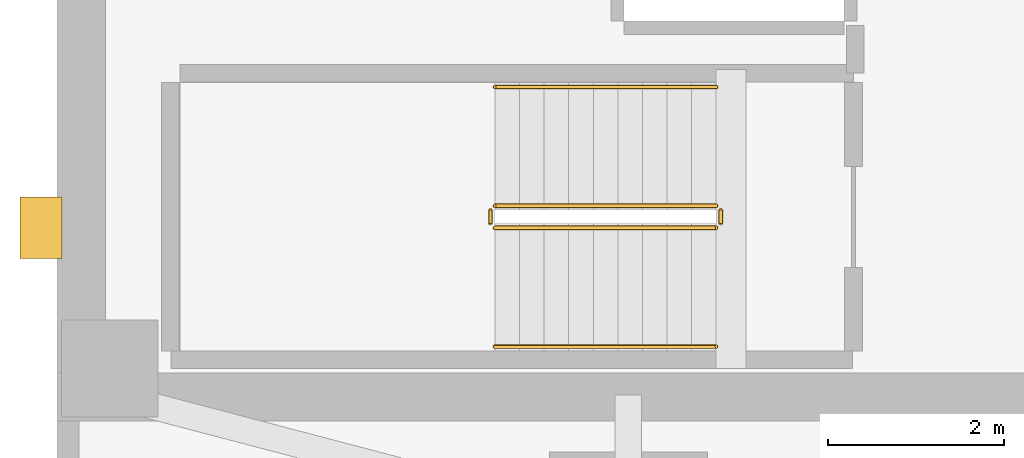
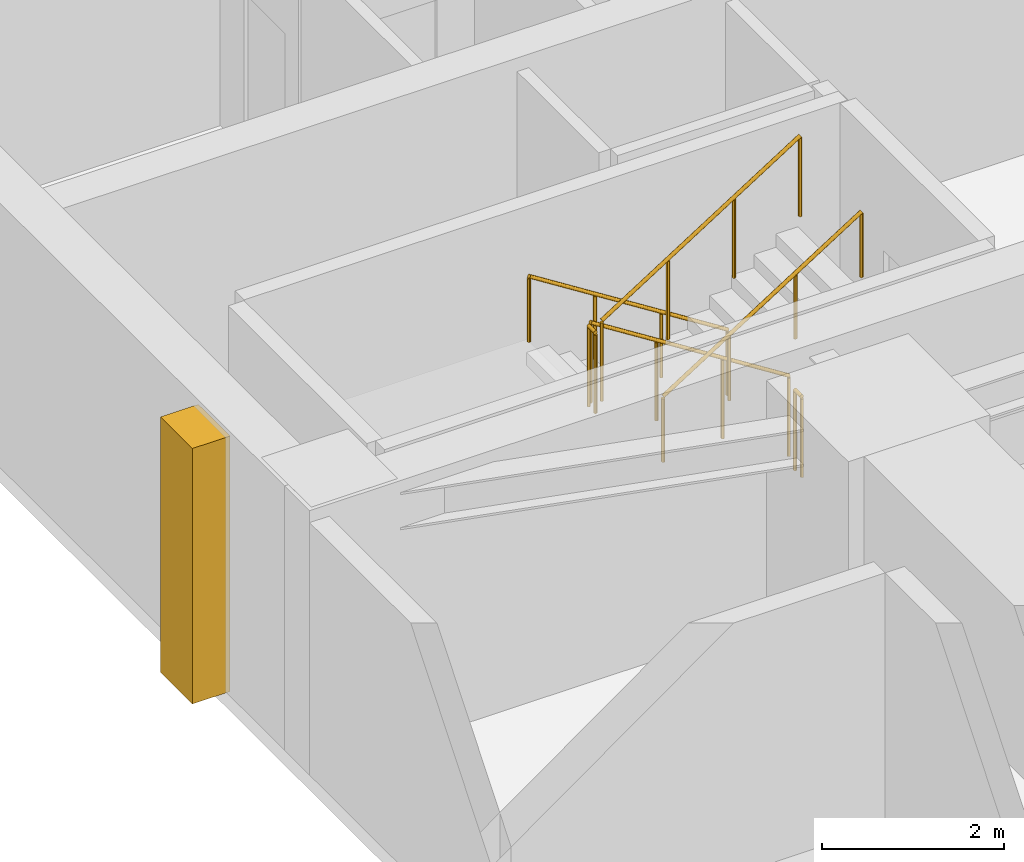
# One storey, part 10 of 13: 6 railings, 1 covering.
"""IFC4 building model written with IfcOpenShell, lengths in metres."""

from ifc_helpers import new_model, si_unit, direction, frame, origin, origin_2d, place, context, subcontext, project, spatial, polyline, circle, outline, extrude, material, layer, layer_set, type_object, element, save


model = new_model("IFC4")

# Units and contexts
model_context = context("Model", 3, precision=1e-05, world=origin(), true_north=direction((0.0, 1.0)))
body_context = subcontext(model_context, "Body", "Model", "MODEL_VIEW")
ifc_project = project(units=[si_unit("LENGTHUNIT", "METRE"), si_unit("AREAUNIT", "SQUARE_METRE"), si_unit("VOLUMEUNIT", "CUBIC_METRE"), si_unit("PLANEANGLEUNIT", "RADIAN"), si_unit("MASSUNIT", "GRAM", prefix="KILO")], contexts=[model_context])

# Site, building, storey
site_placement = place(None, origin())
site = spatial("IfcSite", under=ifc_project, at=site_placement, CompositionType="ELEMENT")
building_placement = place(site_placement, origin())
building = spatial("IfcBuilding", under=site, at=building_placement, Name="Kinhvarn Gate Tower", CompositionType="ELEMENT")
storey_placement = place(building_placement, frame((0.0, 0.0, 241.300048828125)))
storey = spatial("IfcBuildingStorey", under=building, at=storey_placement, Name="L64", CompositionType="ELEMENT", Elevation=241.300048828125)

# Covering
ifc_material_1 = material(Name="Precast white architectural concrete C40/50", Category="concrete")
ifc_layer = layer(ifc_material_1, 0.47998046875)
ifc_layer_set = layer_set([ifc_layer], Name="Precast white architectural concrete C40/50")
covering_type = type_object("IfcCoveringType", Name="COV-RIB-450", PredefinedType="CLADDING", material=ifc_layer_set)
covering_placement = place(storey_placement, frame((0.0, 0.0, -0.02001953125)))
element("IfcCovering", 1, at=covering_placement, inside=storey, type_object=covering_type, Name="West Core Sculptural Concrete Relief Rib CRB-450 (L64)", PredefinedType="CLADDING", context=body_context, shape_type="SweptSolid", body=[
    extrude(outline(polyline([(4.080078125, 15.85009765625), (4.56005859375, 15.85009765625), (4.56005859375, 16.550048828125), (4.080078125, 16.550048828125), (4.080078125, 15.85009765625)])), origin(), (0.0, 0.0, 1.0), 3.429931640625),
])

# Railings
ifc_material_2 = material(Name="Steel S355", Category="steel")
railing_type_1 = type_object("IfcRailingType", Name="RL-ST-GRD", PredefinedType="BALUSTRADE", material=ifc_material_2)
railing_1_placement = place(storey_placement, frame((12.0, 16.449951171875, 0.177490234375)))
element("IfcRailing", 2, at=railing_1_placement, inside=storey, type_object=railing_type_1, Name="L64 ST1 stair guard 1", PredefinedType="BALUSTRADE", context=body_context, shape_type="SweptSolid", body=[
    extrude(circle(Radius=0.02392578125, at=origin_2d()), frame((0.0, 0.0, 1.076171875), z_axis=(-0.84460694969, 0.0, 0.535386869969), x_axis=(0.0, -1.0, 0.0)), (0.0, 0.0, 1.0), 2.983642578125),
    extrude(circle(Radius=0.02099609375, at=origin_2d()), origin(), (0.0, 0.0, 1.0), 1.052001953125),
    extrude(circle(Radius=0.02099609375, at=origin_2d()), frame((-0.840087890625, 0.0, 0.532470703125)), (0.0, 0.0, 1.0), 1.052001953125),
    extrude(circle(Radius=0.02099609375, at=origin_2d()), frame((-1.679931640625, 0.0, 1.06494140625)), (0.0, 0.0, 1.0), 1.052001953125),
    extrude(circle(Radius=0.02099609375, at=origin_2d()), frame((-2.52001953125, 0.0, 1.597412109375)), (0.0, 0.0, 1.0), 1.052001953125),
])
railing_2_placement = place(storey_placement, frame((9.429931640625, 16.39990234375, 1.77490234375)))
element("IfcRailing", 3, at=railing_2_placement, inside=storey, type_object=railing_type_1, Name="L64 ST1 stair guard 2", PredefinedType="BALUSTRADE", context=body_context, shape_type="SweptSolid", body=[
    extrude(circle(Radius=0.02392578125, at=origin_2d()), frame((0.0, 0.0, 1.076171875), z_axis=(0.0, -1.0, 0.0), x_axis=(1.0, 0.0, 0.0)), (0.0, 0.0, 1.0), 0.14990234375),
    extrude(circle(Radius=0.02099609375, at=origin_2d()), origin(), (0.0, 0.0, 1.0), 1.052001953125),
    extrude(circle(Radius=0.02099609375, at=origin_2d()), frame((0.0, -0.14990234375, 0.0)), (0.0, 0.0, 1.0), 1.052001953125),
])
railing_3_placement = place(storey_placement, frame((9.47998046875, 16.199951171875, 1.952392578125)))
element("IfcRailing", 4, at=railing_3_placement, inside=storey, type_object=railing_type_1, Name="L64 ST1 stair guard 3", PredefinedType="BALUSTRADE", context=body_context, shape_type="SweptSolid", body=[
    extrude(circle(Radius=0.02392578125, at=origin_2d()), frame((0.0, 0.0, 1.076171875), z_axis=(0.84456994832, 0.0, 0.535445237532), x_axis=(0.0, 1.0, 0.0)), (0.0, 0.0, 1.0), 2.98388671875),
    extrude(circle(Radius=0.02099609375, at=origin_2d()), origin(), (0.0, 0.0, 1.0), 1.052001953125),
    extrude(circle(Radius=0.02099609375, at=origin_2d()), frame((0.840087890625, 0.0, 0.532470703125)), (0.0, 0.0, 1.0), 1.052001953125),
    extrude(circle(Radius=0.02099609375, at=origin_2d()), frame((1.679931640625, 0.0, 1.065185546875)), (0.0, 0.0, 1.0), 1.052001953125),
    extrude(circle(Radius=0.02099609375, at=origin_2d()), frame((2.52001953125, 0.0, 1.59765625)), (0.0, 0.0, 1.0), 1.052001953125),
])
railing_4_placement = place(storey_placement, frame((12.050048828125, 16.39990234375, 0.0)))
element("IfcRailing", 5, at=railing_4_placement, inside=storey, type_object=railing_type_1, Name="L64 ST1 stair guard 4", PredefinedType="BALUSTRADE", context=body_context, shape_type="SweptSolid", body=[
    extrude(circle(Radius=0.02392578125, at=origin_2d()), frame((0.0, 0.0, 1.076171875), z_axis=(0.0, -1.0, 0.0), x_axis=(1.0, 0.0, 0.0)), (0.0, 0.0, 1.0), 0.14990234375),
    extrude(circle(Radius=0.02099609375, at=origin_2d()), origin(), (0.0, 0.0, 1.0), 1.052001953125),
    extrude(circle(Radius=0.02099609375, at=origin_2d()), frame((0.0, -0.14990234375, 0.0)), (0.0, 0.0, 1.0), 1.052001953125),
])
railing_type_2 = type_object("IfcRailingType", Name="RL-ST-HND", PredefinedType="HANDRAIL", material=ifc_material_2)
railing_5_placement = place(storey_placement, frame((12.0, 17.800048828125, 0.177490234375)))
element("IfcRailing", 6, at=railing_5_placement, inside=storey, type_object=railing_type_2, Name="L64 ST1 stair handrail 1", PredefinedType="HANDRAIL", context=body_context, shape_type="SweptSolid", body=[
    extrude(circle(Radius=0.02392578125, at=origin_2d()), frame((0.0, 0.0, 0.8759765625), z_axis=(-0.84460694969, 0.0, 0.535386869969), x_axis=(0.0, -1.0, 0.0)), (0.0, 0.0, 1.0), 2.983642578125),
    extrude(circle(Radius=0.02099609375, at=origin_2d()), origin(), (0.0, 0.0, 1.0), 0.851806640625),
    extrude(circle(Radius=0.02099609375, at=origin_2d()), frame((-0.840087890625, 0.0, 0.532470703125)), (0.0, 0.0, 1.0), 0.851806640625),
    extrude(circle(Radius=0.02099609375, at=origin_2d()), frame((-1.679931640625, 0.0, 1.06494140625)), (0.0, 0.0, 1.0), 0.851806640625),
    extrude(circle(Radius=0.02099609375, at=origin_2d()), frame((-2.52001953125, 0.0, 1.597412109375)), (0.0, 0.0, 1.0), 0.851806640625),
])
railing_6_placement = place(storey_placement, frame((9.47998046875, 14.85009765625, 1.952392578125)))
element("IfcRailing", 7, at=railing_6_placement, inside=storey, type_object=railing_type_2, Name="L64 ST1 stair handrail 2", PredefinedType="HANDRAIL", context=body_context, shape_type="SweptSolid", body=[
    extrude(circle(Radius=0.02392578125, at=origin_2d()), frame((0.0, 0.0, 0.8759765625), z_axis=(0.84456994832, 0.0, 0.535445237532), x_axis=(0.0, 1.0, 0.0)), (0.0, 0.0, 1.0), 2.98388671875),
    extrude(circle(Radius=0.02099609375, at=origin_2d()), origin(), (0.0, 0.0, 1.0), 0.851806640625),
    extrude(circle(Radius=0.02099609375, at=origin_2d()), frame((0.840087890625, 0.0, 0.532470703125)), (0.0, 0.0, 1.0), 0.851806640625),
    extrude(circle(Radius=0.02099609375, at=origin_2d()), frame((1.679931640625, 0.0, 1.065185546875)), (0.0, 0.0, 1.0), 0.851806640625),
    extrude(circle(Radius=0.02099609375, at=origin_2d()), frame((2.52001953125, 0.0, 1.59765625)), (0.0, 0.0, 1.0), 0.851806640625),
])

save(model, "model.ifc")
